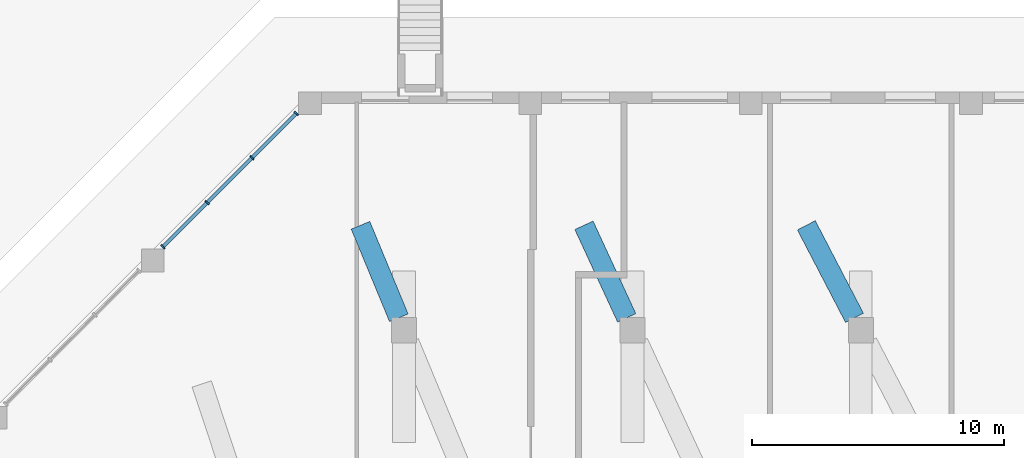
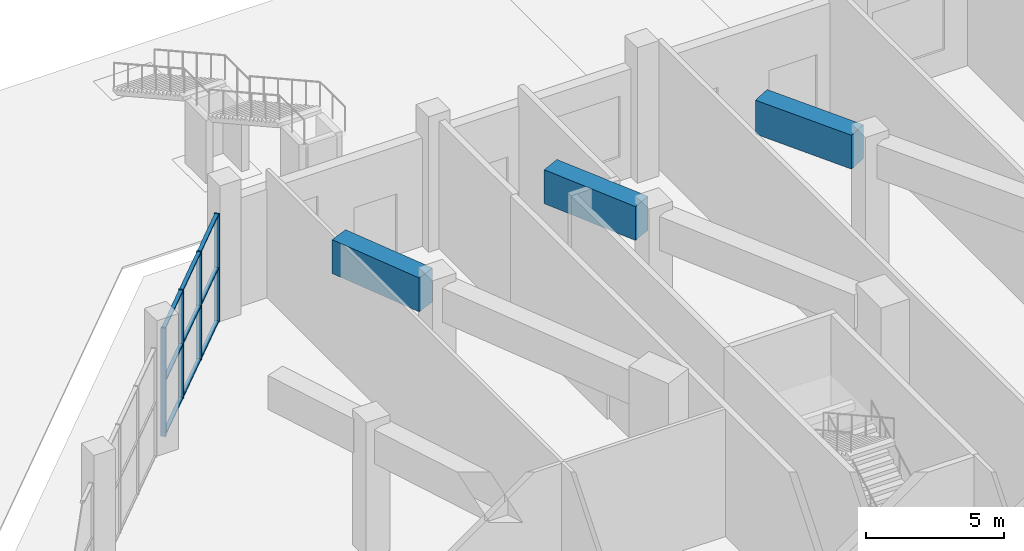
# One storey, part 12 of 36: 13 members, 3 beams, 1 element without a shape of its own.
"""IFC4 building model written with IfcOpenShell, lengths in metres."""

from ifc_helpers import new_model, si_unit, direction, frame, origin, origin_2d, place, context, subcontext, project, spatial, rectangle, extrude, material, material_profile, profile_set, type_object, element, aggregate, save


model = new_model("IFC4")

# Units and contexts
model_context = context("Model", 3, precision=1e-05, world=origin(), true_north=direction((0.0, 1.0)))
body_context = subcontext(model_context, "Body", "Model", "MODEL_VIEW")
ifc_project = project(units=[si_unit("LENGTHUNIT", "METRE"), si_unit("AREAUNIT", "SQUARE_METRE"), si_unit("VOLUMEUNIT", "CUBIC_METRE"), si_unit("PLANEANGLEUNIT", "RADIAN"), si_unit("MASSUNIT", "GRAM", prefix="KILO")], contexts=[model_context])

# Site, building, storey
site_placement = place(None, origin())
site = spatial("IfcSite", under=ifc_project, at=site_placement, CompositionType="ELEMENT")
building_placement = place(site_placement, origin())
building = spatial("IfcBuilding", under=site, at=building_placement, Name="Msitu Wima Residences", CompositionType="ELEMENT")
storey_placement = place(building_placement, origin())
storey = spatial("IfcBuildingStorey", under=building, at=storey_placement, Name="L00", CompositionType="ELEMENT", Elevation=0.0)

# Curtain wall, members
ifc_material_1 = material(Name="Anodised aluminium, bronze finish, clear laminated low-emissivity double glazing", Category="aluminium")
curtain_wall_type = type_object("IfcCurtainWallType", Name="Curtain wall CW1 shopfront", PredefinedType="NOTDEFINED", material=ifc_material_1)
curtain_wall_placement = place(storey_placement, origin())
curtain_wall = element("IfcCurtainWall", 1, at=curtain_wall_placement, inside=storey, type_object=curtain_wall_type, Name="Curtain wall CW1 L00 NW0", PredefinedType="NOTDEFINED")
ifc_material_2 = material(Name="Anodised aluminium, bronze finish", Category="aluminium")
ifc_material_profile_1 = material_profile(ifc_material_2, rectangle(XDim=0.199951171875, YDim=0.06494140625, at=origin_2d()), Name="Mullion 65x200")
ifc_profile_set_1 = profile_set([ifc_material_profile_1], Name="Anodised aluminium, bronze finish")
member_type_1 = type_object("IfcMemberType", Name="Mullion CW1 65x200", PredefinedType="MULLION", material=ifc_profile_set_1)
member_1_placement = place(storey_placement, frame((-22.3994140625, 46.397705078125, 0.0), z_axis=(0.0, 0.0, 1.0), x_axis=(0.707106781187, -0.707106781187, 0.0)))
member_1 = element("IfcMember", 2, at=member_1_placement, type_object=member_type_1, Name="CW1 mullion 1", PredefinedType="MULLION", context=body_context, shape_type="SweptSolid", body=[
    extrude(rectangle(XDim=0.199951171875, YDim=0.06494140625, at=origin_2d()), origin(), (0.0, 0.0, 1.0), 4.800048828125),
])
member_2_placement = place(storey_placement, frame((-24.1552734375, 44.64208984375, 0.0), z_axis=(0.0, 0.0, 1.0), x_axis=(0.707106781187, -0.707106781187, 0.0)))
member_2 = element("IfcMember", 3, at=member_2_placement, type_object=member_type_1, Name="CW1 mullion 2", PredefinedType="MULLION", context=body_context, shape_type="SweptSolid", body=[
    extrude(rectangle(XDim=0.199951171875, YDim=0.06494140625, at=origin_2d()), origin(), (0.0, 0.0, 1.0), 4.800048828125),
])
member_3_placement = place(storey_placement, frame((-25.933837890625, 42.86328125, 0.0), z_axis=(0.0, 0.0, 1.0), x_axis=(0.707106781187, -0.707106781187, 0.0)))
member_3 = element("IfcMember", 4, at=member_3_placement, type_object=member_type_1, Name="CW1 mullion 3", PredefinedType="MULLION", context=body_context, shape_type="SweptSolid", body=[
    extrude(rectangle(XDim=0.199951171875, YDim=0.06494140625, at=origin_2d()), origin(), (0.0, 0.0, 1.0), 4.800048828125),
])
member_4_placement = place(storey_placement, frame((-27.689697265625, 41.107666015625, 0.0), z_axis=(0.0, 0.0, 1.0), x_axis=(0.707106781187, -0.707106781187, 0.0)))
member_4 = element("IfcMember", 5, at=member_4_placement, type_object=member_type_1, Name="CW1 mullion 4", PredefinedType="MULLION", context=body_context, shape_type="SweptSolid", body=[
    extrude(rectangle(XDim=0.199951171875, YDim=0.06494140625, at=origin_2d()), origin(), (0.0, 0.0, 1.0), 4.800048828125),
])

# Beams
ifc_material_3 = material(Name="Concrete C60/75", Category="concrete")
ifc_material_profile_2 = material_profile(ifc_material_3, rectangle(XDim=0.800048828125, YDim=1.5, at=origin_2d()), Name="RC 800x1500")
ifc_profile_set_2 = profile_set([ifc_material_profile_2], Name="Concrete C60/75")
beam_type = type_object("IfcBeamType", Name="Podium cantilever girder tip RC 800x1500 Concrete C60/75", PredefinedType="BEAM", material=ifc_profile_set_2)
beam_1_placement = place(storey_placement, frame((-0.254638671875, 38.289306640625, 4.89990234375), z_axis=(-0.46154961132, 0.887114398649, 0.0), x_axis=(-0.887114398649, -0.46154961132, 0.0)))
element("IfcBeam", 6, at=beam_1_placement, inside=storey, type_object=beam_type, Name="Podium cantilever girder L01 C-N2 cantilever", PredefinedType="BEAM", context=body_context, shape_type="SweptSolid", body=[
    extrude(rectangle(XDim=0.800048828125, YDim=1.5, at=origin_2d()), origin(), (0.0, 0.0, 1.0), 4.138671875),
])
beam_2_placement = place(storey_placement, frame((-9.2900390625, 38.2890625, 4.89990234375), z_axis=(-0.419578622089, 0.907718998306, 0.0), x_axis=(-0.907718998306, -0.419578622089, 0.0)))
element("IfcBeam", 7, at=beam_2_placement, inside=storey, type_object=beam_type, Name="Podium cantilever girder L01 C-N3 cantilever", PredefinedType="BEAM", context=body_context, shape_type="SweptSolid", body=[
    extrude(rectangle(XDim=0.800048828125, YDim=1.5, at=origin_2d()), origin(), (0.0, 0.0, 1.0), 4.045166015625),
])
beam_3_placement = place(storey_placement, frame((-18.330322265625, 38.288818359375, 4.89990234375), z_axis=(-0.382704380924, 0.923870855056, 0.0), x_axis=(-0.923870855056, -0.382704380924, 0.0)))
element("IfcBeam", 8, at=beam_3_placement, inside=storey, type_object=beam_type, Name="Podium cantilever girder L01 C-NW0 cantilever", PredefinedType="BEAM", context=body_context, shape_type="SweptSolid", body=[
    extrude(rectangle(XDim=0.800048828125, YDim=1.5, at=origin_2d()), origin(), (0.0, 0.0, 1.0), 3.974853515625),
])

# Member
ifc_material_profile_3 = material_profile(ifc_material_2, rectangle(XDim=0.14990234375, YDim=0.06494140625, at=origin_2d()), Name="Transom 65x150")
ifc_profile_set_3 = profile_set([ifc_material_profile_3], Name="Anodised aluminium, bronze finish")
member_type_2 = type_object("IfcMemberType", Name="Transom CW1 65x150", PredefinedType="USERDEFINED", material=ifc_profile_set_3)
member_5_placement = place(storey_placement, frame((-22.422607421875, 46.374755859375, 0.032470703125), z_axis=(-0.707106781187, -0.707106781187, 0.0), x_axis=(0.707106781187, -0.707106781187, 0.0)))
member_5 = element("IfcMember", 9, at=member_5_placement, type_object=member_type_2, Name="CW1 transom 1.1", ObjectType="TRANSOM", PredefinedType="USERDEFINED", context=body_context, shape_type="SweptSolid", body=[
    extrude(rectangle(XDim=0.14990234375, YDim=0.06494140625, at=origin_2d()), origin(), (0.0, 0.0, 1.0), 2.41796875),
])

member_6_placement = place(storey_placement, frame((-22.422607421875, 46.374755859375, 2.39990234375), z_axis=(-0.707106781187, -0.707106781187, 0.0), x_axis=(0.707106781187, -0.707106781187, 0.0)))
member_6 = element("IfcMember", 10, at=member_6_placement, type_object=member_type_2, Name="CW1 transom 1.2", ObjectType="TRANSOM", PredefinedType="USERDEFINED", context=body_context, shape_type="SweptSolid", body=[
    extrude(rectangle(XDim=0.14990234375, YDim=0.06494140625, at=origin_2d()), origin(), (0.0, 0.0, 1.0), 2.41796875),
])

member_7_placement = place(storey_placement, frame((-22.422607421875, 46.374755859375, 4.767578125), z_axis=(-0.707106781187, -0.707106781187, 0.0), x_axis=(0.707106781187, -0.707106781187, 0.0)))
member_7 = element("IfcMember", 11, at=member_7_placement, type_object=member_type_2, Name="CW1 transom 1.3", ObjectType="TRANSOM", PredefinedType="USERDEFINED", context=body_context, shape_type="SweptSolid", body=[
    extrude(rectangle(XDim=0.14990234375, YDim=0.06494140625, at=origin_2d()), origin(), (0.0, 0.0, 1.0), 2.41796875),
])

member_8_placement = place(storey_placement, frame((-24.17822265625, 44.619140625, 0.032470703125), z_axis=(-0.70705696564, -0.707156593224, 0.0), x_axis=(0.707156593224, -0.70705696564, 0.0)))
member_8 = element("IfcMember", 12, at=member_8_placement, type_object=member_type_2, Name="CW1 transom 2.1", ObjectType="TRANSOM", PredefinedType="USERDEFINED", context=body_context, shape_type="SweptSolid", body=[
    extrude(rectangle(XDim=0.14990234375, YDim=0.06494140625, at=origin_2d()), origin(), (0.0, 0.0, 1.0), 2.450439453125),
])

member_9_placement = place(storey_placement, frame((-24.17822265625, 44.619140625, 2.39990234375), z_axis=(-0.70705696564, -0.707156593224, 0.0), x_axis=(0.707156593224, -0.70705696564, 0.0)))
member_9 = element("IfcMember", 13, at=member_9_placement, type_object=member_type_2, Name="CW1 transom 2.2", ObjectType="TRANSOM", PredefinedType="USERDEFINED", context=body_context, shape_type="SweptSolid", body=[
    extrude(rectangle(XDim=0.14990234375, YDim=0.06494140625, at=origin_2d()), origin(), (0.0, 0.0, 1.0), 2.450439453125),
])

member_10_placement = place(storey_placement, frame((-24.17822265625, 44.619140625, 4.767578125), z_axis=(-0.70705696564, -0.707156593224, 0.0), x_axis=(0.707156593224, -0.70705696564, 0.0)))
member_10 = element("IfcMember", 14, at=member_10_placement, type_object=member_type_2, Name="CW1 transom 2.3", ObjectType="TRANSOM", PredefinedType="USERDEFINED", context=body_context, shape_type="SweptSolid", body=[
    extrude(rectangle(XDim=0.14990234375, YDim=0.06494140625, at=origin_2d()), origin(), (0.0, 0.0, 1.0), 2.450439453125),
])

member_11_placement = place(storey_placement, frame((-25.956787109375, 42.84033203125, 0.032470703125), z_axis=(-0.70715726177, -0.707056296999, 0.0), x_axis=(0.707056296999, -0.70715726177, 0.0)))
member_11 = element("IfcMember", 15, at=member_11_placement, type_object=member_type_2, Name="CW1 transom 3.1", ObjectType="TRANSOM", PredefinedType="USERDEFINED", context=body_context, shape_type="SweptSolid", body=[
    extrude(rectangle(XDim=0.14990234375, YDim=0.06494140625, at=origin_2d()), origin(), (0.0, 0.0, 1.0), 2.41796875),
])

member_12_placement = place(storey_placement, frame((-25.956787109375, 42.84033203125, 2.39990234375), z_axis=(-0.70715726177, -0.707056296999, 0.0), x_axis=(0.707056296999, -0.70715726177, 0.0)))
member_12 = element("IfcMember", 16, at=member_12_placement, type_object=member_type_2, Name="CW1 transom 3.2", ObjectType="TRANSOM", PredefinedType="USERDEFINED", context=body_context, shape_type="SweptSolid", body=[
    extrude(rectangle(XDim=0.14990234375, YDim=0.06494140625, at=origin_2d()), origin(), (0.0, 0.0, 1.0), 2.41796875),
])

member_13_placement = place(storey_placement, frame((-25.956787109375, 42.84033203125, 4.767578125), z_axis=(-0.70715726177, -0.707056296999, 0.0), x_axis=(0.707056296999, -0.70715726177, 0.0)))
member_13 = element("IfcMember", 17, at=member_13_placement, type_object=member_type_2, Name="CW1 transom 3.3", ObjectType="TRANSOM", PredefinedType="USERDEFINED", context=body_context, shape_type="SweptSolid", body=[
    extrude(rectangle(XDim=0.14990234375, YDim=0.06494140625, at=origin_2d()), origin(), (0.0, 0.0, 1.0), 2.41796875),
])

aggregate(curtain_wall, [member_1, member_2, member_3, member_4, member_5, member_6, member_7, member_8, member_9, member_10, member_11, member_12, member_13])

save(model, "model.ifc")
